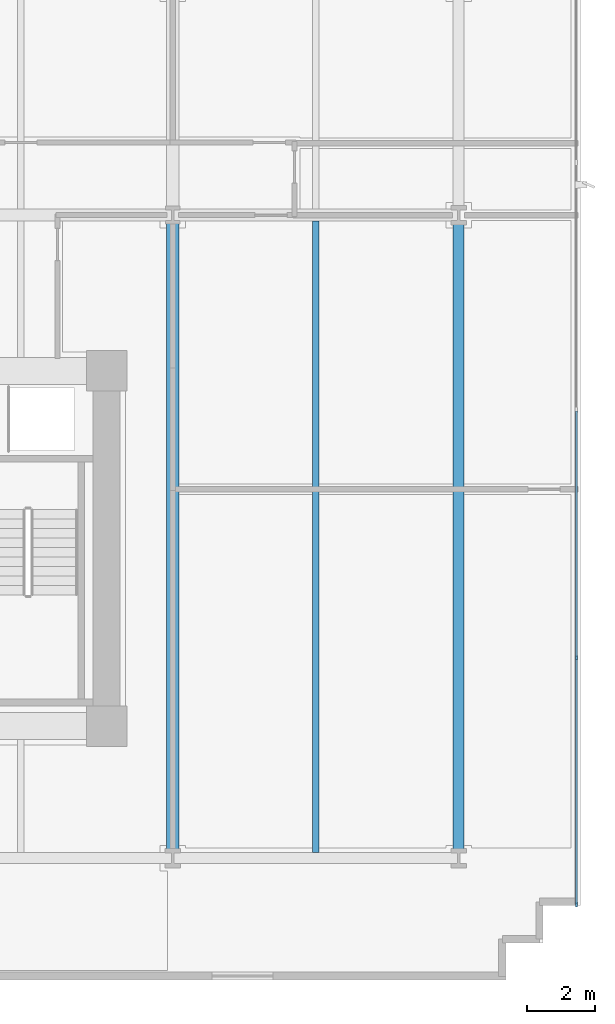
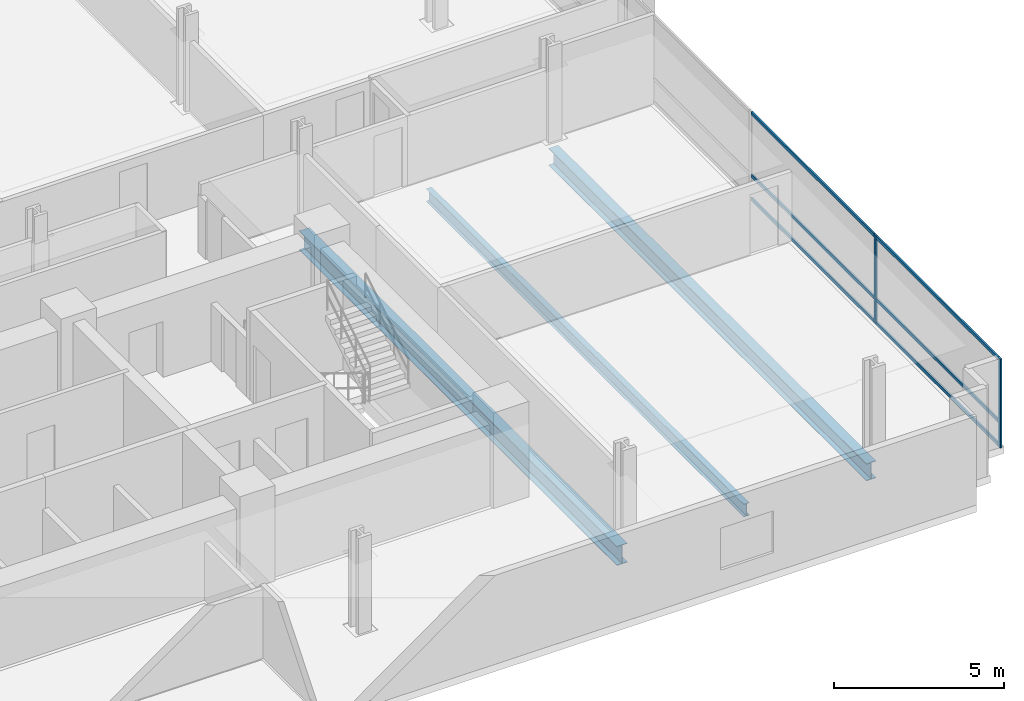
# One storey, part 6 of 21: 8 members, 3 beams, 1 element without a shape of its own.
"""IFC4 building model written with IfcOpenShell, lengths in metres."""

from ifc_helpers import new_model, si_unit, direction, frame, origin, origin_2d, place, context, subcontext, project, spatial, rectangle, i_section, extrude, material, material_profile, profile_set, type_object, element, aggregate, save


model = new_model("IFC4")

# Units and contexts
model_context = context("Model", 3, precision=1e-05, world=origin(), true_north=direction((0.0, 1.0)))
body_context = subcontext(model_context, "Body", "Model", "MODEL_VIEW")
ifc_project = project(units=[si_unit("LENGTHUNIT", "METRE"), si_unit("AREAUNIT", "SQUARE_METRE"), si_unit("VOLUMEUNIT", "CUBIC_METRE"), si_unit("PLANEANGLEUNIT", "RADIAN"), si_unit("MASSUNIT", "GRAM", prefix="KILO")], contexts=[model_context])

# Site, building, storey
site_placement = place(None, origin())
site = spatial("IfcSite", under=ifc_project, at=site_placement, CompositionType="ELEMENT")
building_placement = place(site_placement, origin())
building = spatial("IfcBuilding", under=site, at=building_placement, Name="Solmavex Isthmus Hotel", CompositionType="ELEMENT")
storey_placement = place(building_placement, frame((0.0, 0.0, 60.89990234375)))
storey = spatial("IfcBuildingStorey", under=building, at=storey_placement, Name="L16", CompositionType="ELEMENT", Elevation=60.89990234375)

# Beams
ifc_material_1 = material(Name="Steel ASTM A992 Grade 50", Category="steel")
ifc_material_profile_1 = material_profile(ifc_material_1, i_section(OverallWidth=0.354736328125, OverallDepth=0.695556640625, WebThickness=0.015380859375, FlangeThickness=0.02490234375, FilletRadius=0.017822265625, at=origin_2d()), Name="W27X146")
ifc_profile_set_1 = profile_set([ifc_material_profile_1], Name="Steel ASTM A992 Grade 50")
beam_type_1 = type_object("IfcBeamType", Name="BM-BG-W27X146", PredefinedType="BEAM", material=ifc_profile_set_1)
beam_1_placement = place(storey_placement, frame((17.951904296875, -16.73681640625, -0.607666015625), z_axis=(0.0, 1.0, 0.0), x_axis=(-1.0, 0.0, 0.0)))
element("IfcBeam", 1, at=beam_1_placement, inside=storey, type_object=beam_type_1, Name="Floor Beam L16-VG43", PredefinedType="BEAM", context=body_context, shape_type="SweptSolid", body=[
    extrude(i_section(OverallWidth=0.354736328125, OverallDepth=0.695556640625, WebThickness=0.015380859375, FlangeThickness=0.02490234375, FilletRadius=0.017822265625, at=origin_2d()), origin(), (0.0, 0.0, 1.0), 18.659423828125),
])
ifc_material_profile_2 = material_profile(ifc_material_1, i_section(OverallWidth=0.1904296875, OverallDepth=0.456787109375, WebThickness=0.009033203125, FlangeThickness=0.014404296875, FilletRadius=0.0126953125, at=origin_2d()), Name="W18X50")
ifc_profile_set_2 = profile_set([ifc_material_profile_2], Name="Steel ASTM A992 Grade 50")
beam_type_2 = type_object("IfcBeamType", Name="BM-BJ-W18X50", PredefinedType="JOIST", material=ifc_profile_set_2)
beam_2_placement = place(storey_placement, frame((22.176025390625, -16.73681640625, -0.48828125), z_axis=(0.0, 1.0, 0.0), x_axis=(-1.0, 0.0, 0.0)))
element("IfcBeam", 2, at=beam_2_placement, inside=storey, type_object=beam_type_2, Name="Secondary Floor Joist L16-J20", PredefinedType="JOIST", context=body_context, shape_type="SweptSolid", body=[
    extrude(i_section(OverallWidth=0.1904296875, OverallDepth=0.456787109375, WebThickness=0.009033203125, FlangeThickness=0.014404296875, FilletRadius=0.0126953125, at=origin_2d()), origin(), (0.0, 0.0, 1.0), 18.659423828125),
])
ifc_material_profile_3 = material_profile(ifc_material_1, i_section(OverallWidth=0.326416015625, OverallDepth=0.621826171875, WebThickness=0.015380859375, FlangeThickness=0.0244140625, FilletRadius=0.01513671875, at=origin_2d()), Name="W24X131")
ifc_profile_set_3 = profile_set([ifc_material_profile_3], Name="Steel ASTM A992 Grade 50")
beam_type_3 = type_object("IfcBeamType", Name="BM-SP-W24X131", PredefinedType="SPANDREL", material=ifc_profile_set_3)
beam_3_placement = place(storey_placement, frame((26.39990234375, -16.73681640625, -0.57080078125), z_axis=(0.0, 1.0, 0.0), x_axis=(-1.0, 0.0, 0.0)))
element("IfcBeam", 3, at=beam_3_placement, inside=storey, type_object=beam_type_3, Name="Floor Beam L16-VG46", PredefinedType="SPANDREL", context=body_context, shape_type="SweptSolid", body=[
    extrude(i_section(OverallWidth=0.326416015625, OverallDepth=0.621826171875, WebThickness=0.015380859375, FlangeThickness=0.0244140625, FilletRadius=0.01513671875, at=origin_2d()), origin(), (0.0, 0.0, 1.0), 18.659423828125),
])

# Curtain wall, members
ifc_material_2 = material(Name="Aluminium alloy 6063-T6", Category="aluminium")
curtain_wall_type = type_object("IfcCurtainWallType", Name="CW-SYS-06", PredefinedType="NOTDEFINED", material=ifc_material_2)
curtain_wall_placement = place(storey_placement, origin())
curtain_wall = element("IfcCurtainWall", 4, at=curtain_wall_placement, inside=storey, type_object=curtain_wall_type, Name="Stick Curtain Wall CWL-L16-E1", PredefinedType="NOTDEFINED")
ifc_material_profile_4 = material_profile(ifc_material_2, rectangle(XDim=0.06005859375, YDim=0.139892578125, at=origin_2d()), Name="CWM-60X140")
ifc_profile_set_4 = profile_set([ifc_material_profile_4], Name="Aluminium alloy 6063-T6")
member_type_1 = type_object("IfcMemberType", Name="CW-SYS-06-MUL", PredefinedType="MULLION", material=ifc_profile_set_4)
member_1_placement = place(storey_placement, frame((29.8798828125, -18.27001953125, 0.0), z_axis=(0.0, 0.0, 1.0), x_axis=(-1.0, 0.0, 0.0)))
member_1 = element("IfcMember", 5, at=member_1_placement, type_object=member_type_1, Name="CW-06 mullion 1", PredefinedType="MULLION", context=body_context, shape_type="SweptSolid", body=[
    extrude(rectangle(XDim=0.06005859375, YDim=0.139892578125, at=origin_2d()), origin(), (0.0, 0.0, 1.0), 3.190185546875),
])
member_2_placement = place(storey_placement, frame((29.8798828125, -10.97998046875, 0.0), z_axis=(0.0, 0.0, 1.0), x_axis=(-1.0, 0.0, 0.0)))
member_2 = element("IfcMember", 6, at=member_2_placement, type_object=member_type_1, Name="CW-06 mullion 2", PredefinedType="MULLION", context=body_context, shape_type="SweptSolid", body=[
    extrude(rectangle(XDim=0.06005859375, YDim=0.139892578125, at=origin_2d()), origin(), (0.0, 0.0, 1.0), 3.190185546875),
])
ifc_material_profile_5 = material_profile(ifc_material_2, rectangle(XDim=0.06005859375, YDim=0.114990234375, at=origin_2d()), Name="CWT-60X115")
ifc_profile_set_5 = profile_set([ifc_material_profile_5], Name="Aluminium alloy 6063-T6")
member_type_2 = type_object("IfcMemberType", Name="CW-SYS-06-TRN", PredefinedType="USERDEFINED", material=ifc_profile_set_5)
member_3_placement = place(storey_placement, frame((29.8798828125, -18.239990234375, 0.0576171875), z_axis=(0.0, 1.0, 0.0), x_axis=(-1.0, 0.0, 0.0)))
member_3 = element("IfcMember", 7, at=member_3_placement, type_object=member_type_2, Name="CW-06 transom 1.1", ObjectType="TRANSOM", PredefinedType="USERDEFINED", context=body_context, shape_type="SweptSolid", body=[
    extrude(rectangle(XDim=0.06005859375, YDim=0.114990234375, at=origin_2d()), origin(), (0.0, 0.0, 1.0), 7.22998046875),
])
member_4_placement = place(storey_placement, frame((29.8798828125, -18.239990234375, 0.900146484375), z_axis=(0.0, 1.0, 0.0), x_axis=(-1.0, 0.0, 0.0)))
member_4 = element("IfcMember", 8, at=member_4_placement, type_object=member_type_2, Name="CW-06 transom 1.2", ObjectType="TRANSOM", PredefinedType="USERDEFINED", context=body_context, shape_type="SweptSolid", body=[
    extrude(rectangle(XDim=0.06005859375, YDim=0.114990234375, at=origin_2d()), origin(), (0.0, 0.0, 1.0), 7.22998046875),
])
member_5_placement = place(storey_placement, frame((29.8798828125, -18.239990234375, 3.132568359375), z_axis=(0.0, 1.0, 0.0), x_axis=(-1.0, 0.0, 0.0)))
member_5 = element("IfcMember", 9, at=member_5_placement, type_object=member_type_2, Name="CW-06 transom 1.3", ObjectType="TRANSOM", PredefinedType="USERDEFINED", context=body_context, shape_type="SweptSolid", body=[
    extrude(rectangle(XDim=0.06005859375, YDim=0.114990234375, at=origin_2d()), origin(), (0.0, 0.0, 1.0), 7.22998046875),
])
member_6_placement = place(storey_placement, frame((29.8798828125, -10.949951171875, 0.0576171875), z_axis=(0.0, 1.0, 0.0), x_axis=(-1.0, 0.0, 0.0)))
member_6 = element("IfcMember", 10, at=member_6_placement, type_object=member_type_2, Name="CW-06 transom 2.1", ObjectType="TRANSOM", PredefinedType="USERDEFINED", context=body_context, shape_type="SweptSolid", body=[
    extrude(rectangle(XDim=0.06005859375, YDim=0.114990234375, at=origin_2d()), origin(), (0.0, 0.0, 1.0), 7.260009765625),
])
member_7_placement = place(storey_placement, frame((29.8798828125, -10.949951171875, 0.900146484375), z_axis=(0.0, 1.0, 0.0), x_axis=(-1.0, 0.0, 0.0)))
member_7 = element("IfcMember", 11, at=member_7_placement, type_object=member_type_2, Name="CW-06 transom 2.2", ObjectType="TRANSOM", PredefinedType="USERDEFINED", context=body_context, shape_type="SweptSolid", body=[
    extrude(rectangle(XDim=0.06005859375, YDim=0.114990234375, at=origin_2d()), origin(), (0.0, 0.0, 1.0), 7.260009765625),
])
member_8_placement = place(storey_placement, frame((29.8798828125, -10.949951171875, 3.132568359375), z_axis=(0.0, 1.0, 0.0), x_axis=(-1.0, 0.0, 0.0)))
member_8 = element("IfcMember", 12, at=member_8_placement, type_object=member_type_2, Name="CW-06 transom 2.3", ObjectType="TRANSOM", PredefinedType="USERDEFINED", context=body_context, shape_type="SweptSolid", body=[
    extrude(rectangle(XDim=0.06005859375, YDim=0.114990234375, at=origin_2d()), origin(), (0.0, 0.0, 1.0), 7.260009765625),
])
aggregate(curtain_wall, [member_1, member_2, member_3, member_4, member_5, member_6, member_7, member_8])

save(model, "model.ifc")
